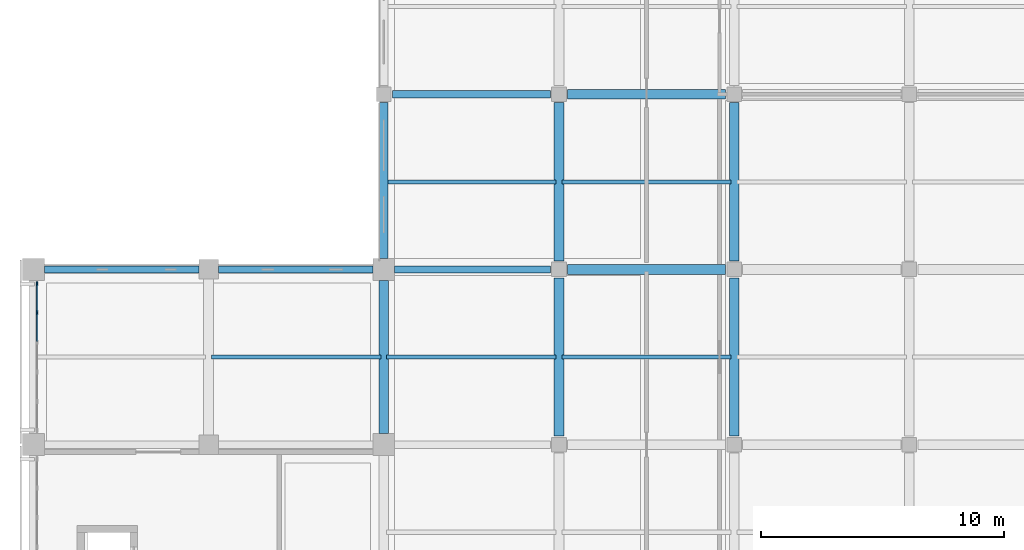
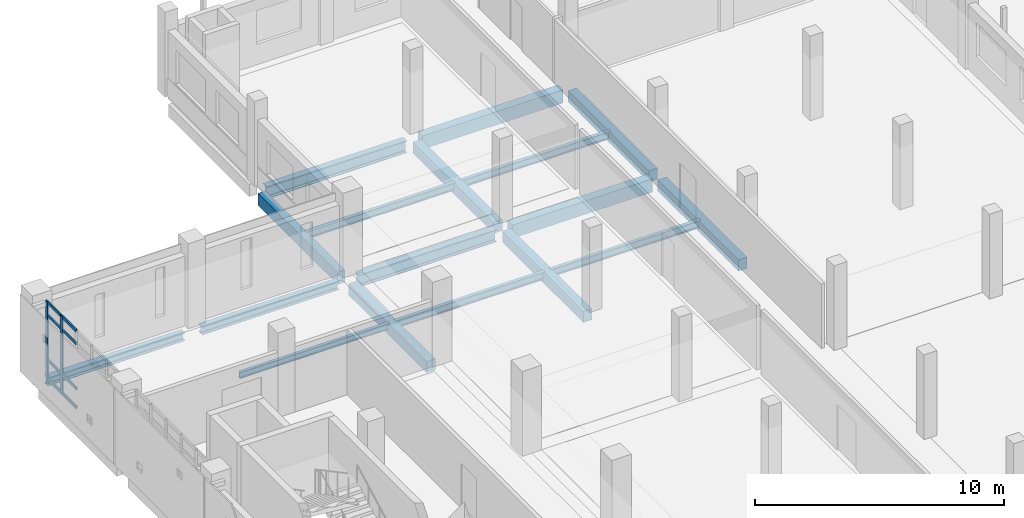
# One storey, part 24 of 62: 17 beams, 10 members, 1 element without a shape of its own.
"""IFC4 building model written with IfcOpenShell, lengths in metres."""

from ifc_helpers import new_model, si_unit, direction, frame, origin, origin_2d, place, context, subcontext, project, spatial, rectangle, i_section, extrude, material, layer, layer_set, material_profile, profile_set, type_object, element, aggregate, save


model = new_model("IFC4")

# Units and contexts
model_context = context("Model", 3, precision=1e-05, world=origin(), true_north=direction((0.0, 1.0)))
body_context = subcontext(model_context, "Body", "Model", "MODEL_VIEW")
ifc_project = project(units=[si_unit("LENGTHUNIT", "METRE"), si_unit("AREAUNIT", "SQUARE_METRE"), si_unit("VOLUMEUNIT", "CUBIC_METRE"), si_unit("PLANEANGLEUNIT", "RADIAN"), si_unit("MASSUNIT", "GRAM", prefix="KILO")], contexts=[model_context])

# Site, building, storey
site_placement = place(None, origin())
site = spatial("IfcSite", under=ifc_project, at=site_placement, CompositionType="ELEMENT")
building_placement = place(site_placement, origin())
building = spatial("IfcBuilding", under=site, at=building_placement, Name="Valkovuoma Quantum and Materials Research Institute", CompositionType="ELEMENT")
storey_placement = place(building_placement, frame((0.0, 0.0, 13.1201171875)))
storey = spatial("IfcBuildingStorey", under=building, at=storey_placement, Name="L03", CompositionType="ELEMENT", Elevation=13.1201171875)

# Beams
ifc_material_1 = material(Name="Steel S355J2", Category="steel")
ifc_material_profile_1 = material_profile(ifc_material_1, i_section(OverallWidth=0.300048828125, OverallDepth=0.389892578125, WebThickness=0.010986328125, FlangeThickness=0.01904296875, FilletRadius=0.027099609375, at=origin_2d()), Name="Steel S355J2")
ifc_profile_set_1 = profile_set([ifc_material_profile_1], Name="Steel S355J2")
beam_type_1 = type_object("IfcBeamType", Name="Beam-B-HEA400", PredefinedType="SPANDREL", material=ifc_profile_set_1)
beam_1_placement = place(storey_placement, frame((0.449951171875, 93.60009765625, -0.545166015625), z_axis=(1.0, 0.0, 0.0), x_axis=(0.0, 1.0, 0.0)))
element("IfcBeam", 1, at=beam_1_placement, inside=storey, type_object=beam_type_1, Name="L03 beam X-1533", PredefinedType="SPANDREL", context=body_context, shape_type="SweptSolid", body=[
    extrude(i_section(OverallWidth=0.300048828125, OverallDepth=0.389892578125, WebThickness=0.010986328125, FlangeThickness=0.01904296875, FilletRadius=0.027099609375, at=origin_2d()), origin(), (0.0, 0.0, 1.0), 6.35009765625),
])
beam_2_placement = place(storey_placement, frame((7.60009765625, 93.60009765625, -0.545166015625), z_axis=(1.0, 0.0, 0.0), x_axis=(0.0, 1.0, 0.0)))
element("IfcBeam", 2, at=beam_2_placement, inside=storey, type_object=beam_type_1, Name="L03 beam X-1534", PredefinedType="SPANDREL", context=body_context, shape_type="SweptSolid", body=[
    extrude(i_section(OverallWidth=0.300048828125, OverallDepth=0.389892578125, WebThickness=0.010986328125, FlangeThickness=0.01904296875, FilletRadius=0.027099609375, at=origin_2d()), origin(), (0.0, 0.0, 1.0), 6.349853515625),
])
ifc_material_2 = material(Name="Steel S355J2", Category="steel")
ifc_material_profile_2 = material_profile(ifc_material_2, i_section(OverallWidth=0.300048828125, OverallDepth=0.60009765625, WebThickness=0.015380859375, FlangeThickness=0.030029296875, FilletRadius=0.027099609375, at=origin_2d()), Name="Steel S355J2")
ifc_profile_set_2 = profile_set([ifc_material_profile_2], Name="Steel S355J2")
beam_type_2 = type_object("IfcBeamType", Name="Beam-B-HEB600", PredefinedType="BEAM", material=ifc_profile_set_2)
beam_3_placement = place(storey_placement, frame((14.85009765625, 93.60009765625, -0.650146484375), z_axis=(1.0, 0.0, 0.0), x_axis=(0.0, 1.0, 0.0)))
element("IfcBeam", 3, at=beam_3_placement, inside=storey, type_object=beam_type_2, Name="L03 beam X-1535", PredefinedType="BEAM", context=body_context, shape_type="SweptSolid", body=[
    extrude(i_section(OverallWidth=0.300048828125, OverallDepth=0.60009765625, WebThickness=0.015380859375, FlangeThickness=0.030029296875, FilletRadius=0.027099609375, at=origin_2d()), origin(), (0.0, 0.0, 1.0), 6.39990234375),
])
beam_4_placement = place(storey_placement, frame((14.75, 100.800048828125, -0.650146484375), z_axis=(1.0, 0.0, 0.0), x_axis=(0.0, 1.0, 0.0)))
element("IfcBeam", 4, at=beam_4_placement, inside=storey, type_object=beam_type_2, Name="L03 beam X-1545", PredefinedType="BEAM", context=body_context, shape_type="SweptSolid", body=[
    extrude(i_section(OverallWidth=0.300048828125, OverallDepth=0.60009765625, WebThickness=0.015380859375, FlangeThickness=0.030029296875, FilletRadius=0.027099609375, at=origin_2d()), origin(), (0.0, 0.0, 1.0), 6.5),
])
ifc_material_3 = material(Name="Steel S355J2", Category="steel")
ifc_material_profile_3 = material_profile(ifc_material_3, i_section(OverallWidth=0.14990234375, OverallDepth=0.300048828125, WebThickness=0.007080078125, FlangeThickness=0.0107421875, FilletRadius=0.014892578125, at=origin_2d()), Name="Steel S355J2")
ifc_profile_set_3 = profile_set([ifc_material_profile_3], Name="Steel S355J2")
beam_type_3 = type_object("IfcBeamType", Name="Beam-B-JST300", PredefinedType="JOIST", material=ifc_profile_set_3)
beam_5_placement = place(storey_placement, frame((7.320068359375, 90.0, -0.5), z_axis=(1.0, 0.0, 0.0), x_axis=(0.0, 1.0, 0.0)))
element("IfcBeam", 5, at=beam_5_placement, inside=storey, type_object=beam_type_3, Name="L03 floor joist 1778", PredefinedType="JOIST", context=body_context, shape_type="SweptSolid", body=[
    extrude(i_section(OverallWidth=0.14990234375, OverallDepth=0.300048828125, WebThickness=0.007080078125, FlangeThickness=0.0107421875, FilletRadius=0.014892578125, at=origin_2d()), origin(), (0.0, 0.0, 1.0), 6.9599609375),
])
ifc_material_4 = material(Name="Steel S355J2", Category="steel")
ifc_material_profile_4 = material_profile(ifc_material_4, i_section(OverallWidth=0.169921875, OverallDepth=0.360107421875, WebThickness=0.008056640625, FlangeThickness=0.0126953125, FilletRadius=0.01806640625, at=origin_2d()), Name="Steel S355J2")
ifc_profile_set_4 = profile_set([ifc_material_profile_4], Name="Steel S355J2")
beam_type_4 = type_object("IfcBeamType", Name="Beam-B-JST360", PredefinedType="JOIST", material=ifc_profile_set_4)
for number, where, z_axis, x_axis, name in (
    (6, (14.52001953125, 90.0, -0.530029296875), (1.0, 0.0, 0.0), (0.0, 1.0, 0.0), "L03 floor joist 1779"),
    (7, (21.719970703125, 90.0, -0.530029296875), (1.0, 0.0, 0.0), (0.0, 1.0, 0.0), "L03 floor joist 1780"),
    (8, (14.52001953125, 97.199951171875, -0.530029296875), (1.0, 0.0, 0.0), (0.0, 1.0, 0.0), "L03 floor joist 1789"),
    (9, (21.719970703125, 97.199951171875, -0.530029296875), (1.0, 0.0, 0.0), (0.0, 1.0, 0.0), "L03 floor joist 1790"),
):
    element("IfcBeam", number, at=place(storey_placement, frame(where, z_axis=z_axis, x_axis=x_axis)), inside=storey, type_object=beam_type_4, Name=name, PredefinedType="JOIST", context=body_context, shape_type="SweptSolid", body=[
        extrude(i_section(OverallWidth=0.169921875, OverallDepth=0.360107421875, WebThickness=0.008056640625, FlangeThickness=0.0126953125, FilletRadius=0.01806640625, at=origin_2d()), origin(), (0.0, 0.0, 1.0), 6.9599609375),
    ])
ifc_material_5 = material(Name="Concrete C40/50", Category="concrete")
ifc_material_profile_5 = material_profile(ifc_material_5, rectangle(XDim=0.39990234375, YDim=0.550048828125, at=origin_2d()), Name="Concrete C40/50")
ifc_profile_set_5 = profile_set([ifc_material_profile_5], Name="Concrete C40/50")
beam_type_5 = type_object("IfcBeamType", Name="Beam-B-RC550", PredefinedType="BEAM", material=ifc_profile_set_5)
beam_6_placement = place(storey_placement, frame((14.39990234375, 86.85009765625, -0.625), z_axis=(0.0, 1.0, 0.0), x_axis=(-1.0, 0.0, 0.0)))
element("IfcBeam", 10, at=beam_6_placement, inside=storey, type_object=beam_type_5, Name="L03 beam Y-1582", PredefinedType="BEAM", context=body_context, shape_type="SweptSolid", body=[
    extrude(rectangle(XDim=0.39990234375, YDim=0.550048828125, at=origin_2d()), origin(), (0.0, 0.0, 1.0), 6.2998046875),
])
for number, where, z_axis, x_axis, name in (
    (11, (21.60009765625, 86.75, -0.625), (0.0, 1.0, 0.0), (-1.0, 0.0, 0.0), "L03 beam Y-1592"),
    (12, (21.60009765625, 93.949951171875, -0.625), (0.0, 1.0, 0.0), (-1.0, 0.0, 0.0), "L03 beam Y-1593"),
    (13, (28.800048828125, 86.75, -0.625), (0.0, 1.0, 0.0), (-1.0, 0.0, 0.0), "L03 beam Y-1602"),
    (14, (28.800048828125, 93.949951171875, -0.625), (0.0, 1.0, 0.0), (-1.0, 0.0, 0.0), "L03 beam Y-1603"),
):
    element("IfcBeam", number, at=place(storey_placement, frame(where, z_axis=z_axis, x_axis=x_axis)), inside=storey, type_object=beam_type_5, Name=name, PredefinedType="BEAM", context=body_context, shape_type="SweptSolid", body=[
        extrude(rectangle(XDim=0.39990234375, YDim=0.550048828125, at=origin_2d()), origin(), (0.0, 0.0, 1.0), 6.5),
    ])
ifc_material_6 = material(Name="Concrete C40/50", Category="concrete")
ifc_material_profile_6 = material_profile(ifc_material_6, rectangle(XDim=0.39990234375, YDim=0.64990234375, at=origin_2d()), Name="Concrete C40/50")
ifc_profile_set_6 = profile_set([ifc_material_profile_6], Name="Concrete C40/50")
beam_type_6 = type_object("IfcBeamType", Name="Beam-B-RC650", PredefinedType="BEAM", material=ifc_profile_set_6)
for number, where, z_axis, x_axis, name in (
    (15, (21.949951171875, 93.60009765625, -0.675048828125), (1.0, 0.0, 0.0), (0.0, 1.0, 0.0), "L03 beam X-1536"),
    (16, (21.949951171875, 100.800048828125, -0.675048828125), (1.0, 0.0, 0.0), (0.0, 1.0, 0.0), "L03 beam X-1546"),
):
    element("IfcBeam", number, at=place(storey_placement, frame(where, z_axis=z_axis, x_axis=x_axis)), inside=storey, type_object=beam_type_6, Name=name, PredefinedType="BEAM", context=body_context, shape_type="SweptSolid", body=[
        extrude(rectangle(XDim=0.39990234375, YDim=0.64990234375, at=origin_2d()), origin(), (0.0, 0.0, 1.0), 6.5),
    ])
ifc_material_7 = material(Name="Concrete C40/50", Category="concrete")
ifc_material_profile_7 = material_profile(ifc_material_7, rectangle(XDim=0.35009765625, YDim=0.60009765625, at=origin_2d()), Name="Concrete C40/50")
ifc_profile_set_7 = profile_set([ifc_material_profile_7], Name="Concrete C40/50")
beam_type_7 = type_object("IfcBeamType", Name="Beam-B-SPN600", PredefinedType="SPANDREL", material=ifc_profile_set_7)
beam_7_placement = place(storey_placement, frame((14.39990234375, 94.050048828125, -0.650146484375), z_axis=(0.0, 1.0, 0.0), x_axis=(-1.0, 0.0, 0.0)))
element("IfcBeam", 17, at=beam_7_placement, inside=storey, type_object=beam_type_7, Name="L03 beam Y-1583", PredefinedType="SPANDREL", context=body_context, shape_type="SweptSolid", body=[
    extrude(rectangle(XDim=0.35009765625, YDim=0.60009765625, at=origin_2d()), origin(), (0.0, 0.0, 1.0), 6.39990234375),
])

# Curtain wall, members
ifc_material_8 = material(Name="Thermally broken aluminium and triple low-E glazing", Category="aluminium")
ifc_layer = layer(ifc_material_8, 0.219970703125)
ifc_layer_set = layer_set([ifc_layer], Name="Thermally broken aluminium and triple low-E glazing")
curtain_wall_type = type_object("IfcCurtainWallType", Name="CW-CW-01", PredefinedType="NOTDEFINED", material=ifc_layer_set)
curtain_wall_placement = place(storey_placement, origin())
curtain_wall = element("IfcCurtainWall", 18, at=curtain_wall_placement, inside=storey, type_object=curtain_wall_type, Name="L03 curtain wall 037", PredefinedType="NOTDEFINED")
ifc_material_9 = material(Name="Anodised aluminium 6060-T66", Category="aluminium")
ifc_material_profile_8 = material_profile(ifc_material_9, rectangle(XDim=0.06494140625, YDim=0.179931640625, at=origin_2d()), Name="Anodised aluminium 6060-T66")
ifc_profile_set_8 = profile_set([ifc_material_profile_8], Name="Anodised aluminium 6060-T66")
member_type_1 = type_object("IfcMemberType", Name="CWMull-CWM-01", PredefinedType="MULLION", material=ifc_profile_set_8)
member_1_placement = place(storey_placement, frame((0.14990234375, 91.82568359375, 0.0), z_axis=(0.0, 0.0, 1.0), x_axis=(-1.0, 0.0, 0.0)))
member_1 = element("IfcMember", 19, at=member_1_placement, type_object=member_type_1, Name="CW-01 mullion 5", PredefinedType="MULLION", context=body_context, shape_type="SweptSolid", body=[
    extrude(rectangle(XDim=0.06494140625, YDim=0.179931640625, at=origin_2d()), origin(), (0.0, 0.0, 1.0), 3.809814453125),
])
member_2_placement = place(storey_placement, frame((0.14990234375, 93.010498046875, 0.0), z_axis=(0.0, 0.0, 1.0), x_axis=(-1.0, 0.0, 0.0)))
member_2 = element("IfcMember", 20, at=member_2_placement, type_object=member_type_1, Name="CW-01 mullion 6", PredefinedType="MULLION", context=body_context, shape_type="SweptSolid", body=[
    extrude(rectangle(XDim=0.06494140625, YDim=0.179931640625, at=origin_2d()), origin(), (0.0, 0.0, 1.0), 3.809814453125),
])
ifc_material_10 = material(Name="Anodised aluminium 6060-T66", Category="aluminium")
ifc_material_profile_9 = material_profile(ifc_material_10, rectangle(XDim=0.06494140625, YDim=0.139892578125, at=origin_2d()), Name="Anodised aluminium 6060-T66")
ifc_profile_set_9 = profile_set([ifc_material_profile_9], Name="Anodised aluminium 6060-T66")
member_type_2 = type_object("IfcMemberType", Name="CWTran-CWT-01", PredefinedType="USERDEFINED", material=ifc_profile_set_9)
member_3_placement = place(storey_placement, frame((0.14990234375, 90.64111328125, 0.032470703125), z_axis=(0.0, 1.0, 0.0), x_axis=(-1.0, 0.0, 0.0)))
member_3 = element("IfcMember", 21, at=member_3_placement, type_object=member_type_2, Name="CW-01 transom 4.1", ObjectType="TRANSOM", PredefinedType="USERDEFINED", context=body_context, shape_type="SweptSolid", body=[
    extrude(rectangle(XDim=0.06494140625, YDim=0.139892578125, at=origin_2d()), origin(), (0.0, 0.0, 1.0), 1.152099609375),
])
member_4_placement = place(storey_placement, frame((0.14990234375, 90.64111328125, 0.949951171875), z_axis=(0.0, 1.0, 0.0), x_axis=(-1.0, 0.0, 0.0)))
member_4 = element("IfcMember", 22, at=member_4_placement, type_object=member_type_2, Name="CW-01 transom 4.2", ObjectType="TRANSOM", PredefinedType="USERDEFINED", context=body_context, shape_type="SweptSolid", body=[
    extrude(rectangle(XDim=0.06494140625, YDim=0.139892578125, at=origin_2d()), origin(), (0.0, 0.0, 1.0), 1.152099609375),
])
member_5_placement = place(storey_placement, frame((0.14990234375, 90.64111328125, 3.159912109375), z_axis=(0.0, 1.0, 0.0), x_axis=(-1.0, 0.0, 0.0)))
member_5 = element("IfcMember", 23, at=member_5_placement, type_object=member_type_2, Name="CW-01 transom 4.3", ObjectType="TRANSOM", PredefinedType="USERDEFINED", context=body_context, shape_type="SweptSolid", body=[
    extrude(rectangle(XDim=0.06494140625, YDim=0.139892578125, at=origin_2d()), origin(), (0.0, 0.0, 1.0), 1.152099609375),
])
member_6_placement = place(storey_placement, frame((0.14990234375, 90.64111328125, 3.77734375), z_axis=(0.0, 1.0, 0.0), x_axis=(-1.0, 0.0, 0.0)))
member_6 = element("IfcMember", 24, at=member_6_placement, type_object=member_type_2, Name="CW-01 transom 4.4", ObjectType="TRANSOM", PredefinedType="USERDEFINED", context=body_context, shape_type="SweptSolid", body=[
    extrude(rectangle(XDim=0.06494140625, YDim=0.139892578125, at=origin_2d()), origin(), (0.0, 0.0, 1.0), 1.152099609375),
])
member_7_placement = place(storey_placement, frame((0.14990234375, 91.858154296875, 0.032470703125), z_axis=(0.0, 1.0, 0.0), x_axis=(-1.0, 0.0, 0.0)))
member_7 = element("IfcMember", 25, at=member_7_placement, type_object=member_type_2, Name="CW-01 transom 5.1", ObjectType="TRANSOM", PredefinedType="USERDEFINED", context=body_context, shape_type="SweptSolid", body=[
    extrude(rectangle(XDim=0.06494140625, YDim=0.139892578125, at=origin_2d()), origin(), (0.0, 0.0, 1.0), 1.11962890625),
])
member_8_placement = place(storey_placement, frame((0.14990234375, 91.858154296875, 0.949951171875), z_axis=(0.0, 1.0, 0.0), x_axis=(-1.0, 0.0, 0.0)))
member_8 = element("IfcMember", 26, at=member_8_placement, type_object=member_type_2, Name="CW-01 transom 5.2", ObjectType="TRANSOM", PredefinedType="USERDEFINED", context=body_context, shape_type="SweptSolid", body=[
    extrude(rectangle(XDim=0.06494140625, YDim=0.139892578125, at=origin_2d()), origin(), (0.0, 0.0, 1.0), 1.11962890625),
])
member_9_placement = place(storey_placement, frame((0.14990234375, 91.858154296875, 3.159912109375), z_axis=(0.0, 1.0, 0.0), x_axis=(-1.0, 0.0, 0.0)))
member_9 = element("IfcMember", 27, at=member_9_placement, type_object=member_type_2, Name="CW-01 transom 5.3", ObjectType="TRANSOM", PredefinedType="USERDEFINED", context=body_context, shape_type="SweptSolid", body=[
    extrude(rectangle(XDim=0.06494140625, YDim=0.139892578125, at=origin_2d()), origin(), (0.0, 0.0, 1.0), 1.11962890625),
])
member_10_placement = place(storey_placement, frame((0.14990234375, 91.858154296875, 3.77734375), z_axis=(0.0, 1.0, 0.0), x_axis=(-1.0, 0.0, 0.0)))
member_10 = element("IfcMember", 28, at=member_10_placement, type_object=member_type_2, Name="CW-01 transom 5.4", ObjectType="TRANSOM", PredefinedType="USERDEFINED", context=body_context, shape_type="SweptSolid", body=[
    extrude(rectangle(XDim=0.06494140625, YDim=0.139892578125, at=origin_2d()), origin(), (0.0, 0.0, 1.0), 1.11962890625),
])
aggregate(curtain_wall, [member_1, member_2, member_3, member_4, member_5, member_6, member_7, member_8, member_9, member_10])

save(model, "model.ifc")
